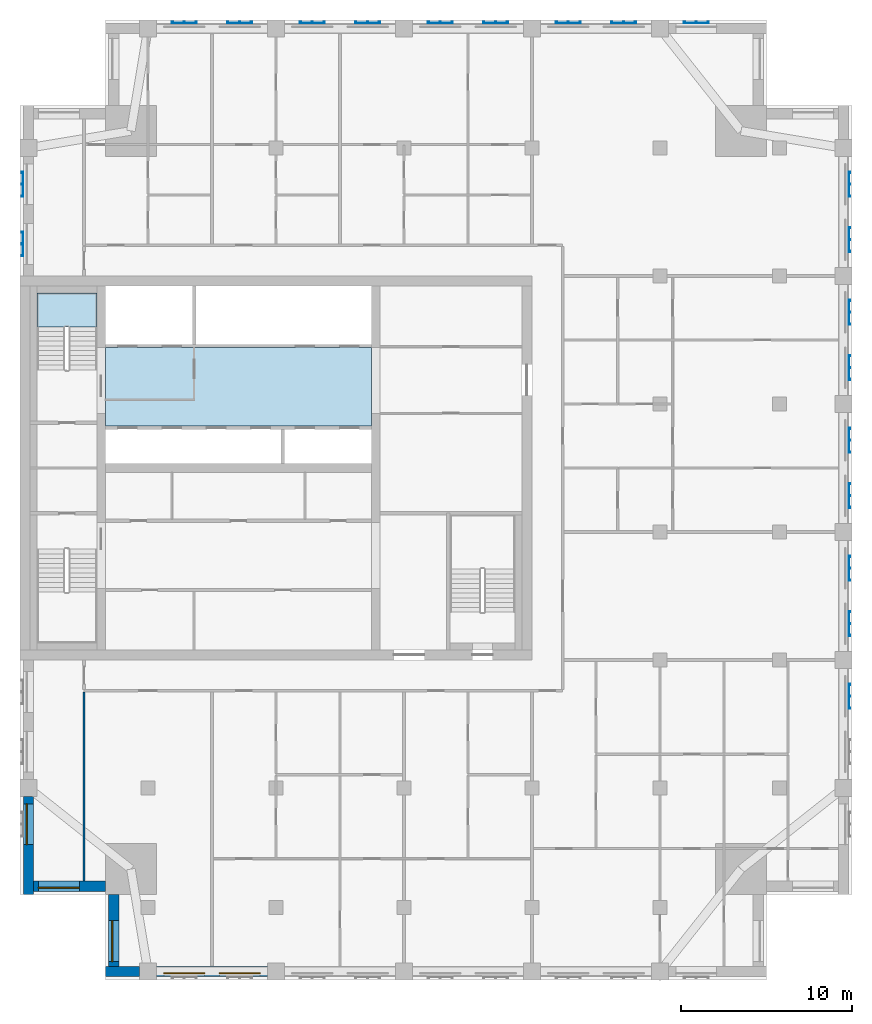
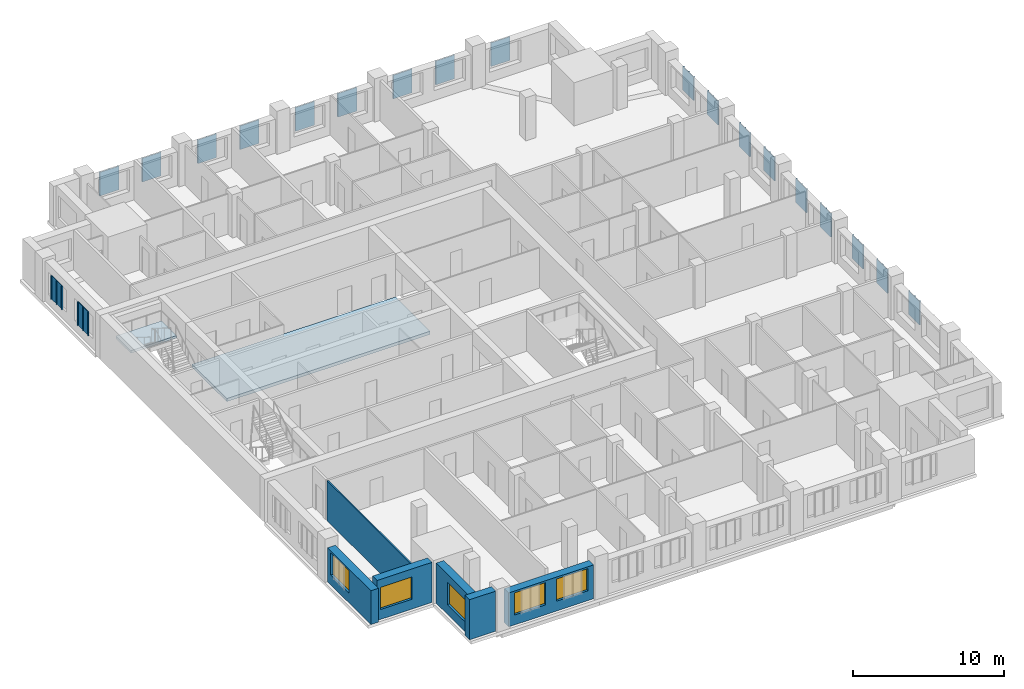
# One storey, part 2 of 11: 20 plates, 6 walls, 5 windows, 2 slabs, 5 openings, 1 element without a shape of its own.
"""IFC4 building model written with IfcOpenShell, lengths in metres."""

import ifcopenshell
import ifcopenshell.guid

model = None  # the IFC model being written
_history = None  # IfcOwnerHistory: only IFC2X3 demands one
_inside = {}  # id of a spatial element -> (the spatial element, [elements in it])
_under = {}  # id of a project, library or spatial element -> (it, [spatial elements below it])
_declared = {}  # id of a project -> (the project, [libraries it declares])
_typed = {}  # id of a type object -> (the type object, [elements of that type])
_made_of = {}  # id of a material, layer set ... -> (it, [elements and type objects made of it])


def new_model(schema):
    """Start an empty IFC model of exactly this schema.

    Asked for "IFC4X3", IfcOpenShell would pick the latest addendum, in which some entities
    have other attributes; the version numbers below select the first issue.
    IFC2X3 requires an IfcOwnerHistory on every rooted entity: one is made here for all.
    """
    global model, _history
    if schema == "IFC4X3":
        model = ifcopenshell.file(schema_version=(4, 3, 0, 0))
    else:
        model = ifcopenshell.file(schema=schema)
    _inside.clear()
    _under.clear()
    _declared.clear()
    _typed.clear()
    _made_of.clear()
    _history = None
    if model.schema == "IFC2X3":
        org = make("IfcOrganization", Name="unknown")
        user = make(
            "IfcPersonAndOrganization",
            ThePerson=make("IfcPerson", FamilyName="unknown"),
            TheOrganization=org,
        )
        app = make(
            "IfcApplication",
            ApplicationDeveloper=org,
            Version="unknown",
            ApplicationFullName="unknown",
            ApplicationIdentifier="unknown",
        )
        _history = make(
            "IfcOwnerHistory",
            OwningUser=user,
            OwningApplication=app,
            ChangeAction="ADDED",
            CreationDate=0,
        )
    return model


def make(cls, **values):
    """One entity of the class cls with the attributes given. An attribute that is None is left unset."""
    return model.create_entity(
        cls, **{name: value for name, value in values.items() if value is not None}
    )


def rooted(cls, **values):
    """An entity with a GlobalId (a new one), such as an element, a storey or a relation."""
    return make(cls, GlobalId=ifcopenshell.guid.new(), OwnerHistory=_history, **values)


def si_unit(unit_type, name, prefix=None):
    """IfcSIUnit, for example si_unit("LENGTHUNIT", "METRE", prefix="MILLI")."""
    return make("IfcSIUnit", UnitType=unit_type, Prefix=prefix, Name=name)


def assignment(units):
    """IfcUnitAssignment: the units of a project."""
    return None if units is None else make("IfcUnitAssignment", Units=units)


def point(xyz):
    """IfcCartesianPoint."""
    return None if xyz is None else make("IfcCartesianPoint", Coordinates=xyz)


def direction(xyz):
    """IfcDirection."""
    return None if xyz is None else make("IfcDirection", DirectionRatios=xyz)


def frame(location, z_axis=None, x_axis=None):
    """IfcAxis2Placement3D, a coordinate frame: its origin and axes. An axis left out is left unset."""
    return make(
        "IfcAxis2Placement3D",
        Location=point(location),
        Axis=direction(z_axis),
        RefDirection=direction(x_axis),
    )


def frame_2d(location, x_axis=None):
    """IfcAxis2Placement2D, a coordinate frame in the plane: its origin and x axis."""
    return make(
        "IfcAxis2Placement2D", Location=point(location), RefDirection=direction(x_axis)
    )


def origin():
    """The frame at (0, 0, 0) with its axes left unset."""
    return frame((0.0, 0.0, 0.0))


def place(relative_to, where):
    """IfcLocalPlacement: puts the frame where relative to a parent placement (None: the world)."""
    return make(
        "IfcLocalPlacement", PlacementRelTo=relative_to, RelativePlacement=where
    )


def context(
    kind, dimensions, precision=None, world=None, true_north=None, identifier=None
):
    """IfcGeometricRepresentationContext, for example the 3D "Model" context."""
    return make(
        "IfcGeometricRepresentationContext",
        ContextIdentifier=identifier,
        ContextType=kind,
        CoordinateSpaceDimension=dimensions,
        Precision=precision,
        WorldCoordinateSystem=world,
        TrueNorth=true_north,
    )


def subcontext(parent, identifier, kind, view, scale=None):
    """IfcGeometricRepresentationSubContext, for example "Body" below "Model"."""
    return make(
        "IfcGeometricRepresentationSubContext",
        ContextIdentifier=identifier,
        ContextType=kind,
        ParentContext=parent,
        TargetScale=scale,
        TargetView=view,
    )


def project(units=None, contexts=None):
    """IfcProject with its units and contexts."""
    return rooted(
        "IfcProject",
        Name="project",
        RepresentationContexts=contexts,
        UnitsInContext=assignment(units),
    )


def spatial(cls, under=None, at=None, **own):
    """A site, building, storey or space (cls), placed at a placement, below another one or the project."""
    s = rooted(cls, ObjectPlacement=at, **own)
    if under is not None:
        _under.setdefault(under.id(), (under, []))[1].append(s)
    return s


def polyline(points):
    """IfcPolyline through the points."""
    return make("IfcPolyline", Points=[point(p) for p in points])


def profile(cls, at=None, kind="AREA", **sizes):
    """A parametric profile (cls). Its sizes go by their IFC names, for example OverallWidth=200.0."""
    return make(cls, ProfileType=kind, Position=at, **sizes)


def rectangle(**sizes):
    """IfcRectangleProfileDef."""
    return profile("IfcRectangleProfileDef", **sizes)


def outline(outer, holes=None, kind="AREA"):
    """IfcArbitraryClosedProfileDef: a profile drawn as a closed curve; with holes, ...WithVoids."""
    if holes is None:
        return make("IfcArbitraryClosedProfileDef", ProfileType=kind, OuterCurve=outer)
    return make(
        "IfcArbitraryProfileDefWithVoids",
        ProfileType=kind,
        OuterCurve=outer,
        InnerCurves=holes,
    )


def extrude(swept, where, along, depth):
    """IfcExtrudedAreaSolid: the profile swept, set in the frame where, extruded along a direction by depth."""
    return make(
        "IfcExtrudedAreaSolid",
        SweptArea=swept,
        Position=where,
        ExtrudedDirection=direction(along),
        Depth=depth,
    )


def shape(context_of_items, identifier, shape_type, items):
    """IfcShapeRepresentation: the items that make up one representation, for example the "Body"."""
    return make(
        "IfcShapeRepresentation",
        ContextOfItems=context_of_items,
        RepresentationIdentifier=identifier,
        RepresentationType=shape_type,
        Items=items,
    )


def material(Name=None, Category=None):
    """IfcMaterial."""
    return make("IfcMaterial", Name=Name, Category=Category)


def layer(
    of_material, thickness, ventilated=None, Name=None, Category=None, Priority=None
):
    """IfcMaterialLayer: one layer of a wall or slab, of a material (None: an air gap)."""
    return make(
        "IfcMaterialLayer",
        Material=of_material,
        LayerThickness=thickness,
        IsVentilated=ventilated,
        Name=Name,
        Category=Category,
        Priority=Priority,
    )


def layer_set(layers, Name=None):
    """IfcMaterialLayerSet."""
    return make("IfcMaterialLayerSet", MaterialLayers=layers, LayerSetName=Name)


def made_of(thing, what):
    """Note that an element or type object is made of a material, layer set ...; save() writes the relation."""
    if what is not None:
        _made_of.setdefault(what.id(), (what, []))[1].append(thing)
    return thing


def type_object(cls, material=None, **own):
    """A type object (cls), such as IfcWallType, which elements share."""
    return made_of(rooted(cls, **own), material)


def element(
    cls,
    number,
    at=None,
    inside=None,
    cuts=None,
    type_object=None,
    material=None,
    context=None,
    identifier="Body",
    shape_type=None,
    held_by="IfcProductDefinitionShape",
    body=None,
    shapes=None,
    **own,
):
    """One element of the class cls, such as IfcWall. Its Tag is "e" and its number.

    at: its placement. inside: the storey or other place that contains it. cuts: it is an
    opening in that element (IfcRelVoidsElement). A single representation is given by context,
    identifier, shape_type and body (its items); several are given by shapes. held_by: the class
    of the entity that holds the representations. save() writes the other relations.
    """
    e = rooted(cls, Tag="e%d" % number, ObjectPlacement=at, **own)
    if body is not None:
        shapes = [shape(context, identifier, shape_type, body)]
    if shapes is not None:
        e.Representation = make(held_by, Representations=shapes)
    if inside is not None:
        _inside.setdefault(inside.id(), (inside, []))[1].append(e)
    if cuts is not None:
        rooted(
            "IfcRelVoidsElement", RelatingBuildingElement=cuts, RelatedOpeningElement=e
        )
    if type_object is not None:
        _typed.setdefault(type_object.id(), (type_object, []))[1].append(e)
    return made_of(e, material)


def fill(opening, filler):
    """IfcRelFillsElement: the door or window that sits in an opening."""
    return rooted(
        "IfcRelFillsElement",
        RelatingOpeningElement=opening,
        RelatedBuildingElement=filler,
    )


def aggregate(whole, parts):
    """IfcRelAggregates: a whole, such as a stair, and the parts it consists of."""
    return rooted("IfcRelAggregates", RelatingObject=whole, RelatedObjects=parts)


def save(model, path):
    """Write the relations noted so far, then the file.

    IfcRelAggregates (storeys below a building ...), IfcRelContainedInSpatialStructure (elements
    in a storey), IfcRelDefinesByType, IfcRelAssociatesMaterial and IfcRelDeclares: one each for
    every whole, place, type object, material and project.
    """
    for whole, parts in _under.values():
        aggregate(whole, parts)
    for where, things in _inside.values():
        rooted(
            "IfcRelContainedInSpatialStructure",
            RelatedElements=things,
            RelatingStructure=where,
        )
    for kind, things in _typed.values():
        rooted("IfcRelDefinesByType", RelatedObjects=things, RelatingType=kind)
    for what, things in _made_of.values():
        rooted("IfcRelAssociatesMaterial", RelatedObjects=things, RelatingMaterial=what)
    for by, libraries in _declared.values():
        rooted("IfcRelDeclares", RelatingContext=by, RelatedDefinitions=libraries)
    model.write(path)


model = new_model("IFC4")

# Units and contexts
model_context = context("Model", 3, precision=1e-05, world=origin(), true_north=direction((0.0, 1.0)))
body_context = subcontext(model_context, "Body", "Model", "MODEL_VIEW")
ifc_project = project(units=[si_unit("LENGTHUNIT", "METRE"), si_unit("AREAUNIT", "SQUARE_METRE"), si_unit("VOLUMEUNIT", "CUBIC_METRE"), si_unit("PLANEANGLEUNIT", "RADIAN"), si_unit("MASSUNIT", "GRAM", prefix="KILO")], contexts=[model_context])

# Site, building, storey
site_placement = place(None, origin())
site = spatial("IfcSite", under=ifc_project, at=site_placement, CompositionType="ELEMENT")
building_placement = place(site_placement, origin())
building = spatial("IfcBuilding", under=site, at=building_placement, Name="Tamorin Gate", CompositionType="ELEMENT")
storey_placement = place(building_placement, frame((0.0, 0.0, 233.699951171875)))
storey = spatial("IfcBuildingStorey", under=building, at=storey_placement, Name="L58", CompositionType="ELEMENT", Elevation=233.699951171875)

# Slab
ifc_material_1 = material(Name="Concrete C40/50", Category="concrete")
ifc_layer_1 = layer(ifc_material_1, 0.25)
ifc_layer_set_1 = layer_set([ifc_layer_1], Name="Core floor slab 250 C40/50")
slab_type_1 = type_object("IfcSlabType", Name="Core floor slab 250 C40/50", PredefinedType="FLOOR", material=ifc_layer_set_1)
slab_1_placement = place(storey_placement, frame((0.0, 0.0, -0.25)))
element("IfcSlab", 1, at=slab_1_placement, inside=storey, type_object=slab_type_1, Name="Core floor L58", PredefinedType="FLOOR", context=body_context, shape_type="SweptSolid", body=[
    extrude(outline(polyline([(50.60009765625, 73.699951171875), (35.0, 73.699951171875), (35.0, 78.300048828125), (50.60009765625, 78.300048828125), (50.60009765625, 73.699951171875)])), origin(), (0.0, 0.0, 1.0), 0.25),
])

# Stair, slab
stair_type = type_object("IfcStairType", Name="Exit stair", PredefinedType="HALF_TURN_STAIR", material=ifc_material_1)
stair_placement = place(storey_placement, origin())
stair = element("IfcStair", 2, at=stair_placement, inside=storey, type_object=stair_type, Name="L58 stair ST2", PredefinedType="HALF_TURN_STAIR")
ifc_layer_2 = layer(ifc_material_1, 0.199951171875)
ifc_layer_set_2 = layer_set([ifc_layer_2], Name="Exit stair landing 200")
slab_type_2 = type_object("IfcSlabType", Name="Exit stair landing 200", PredefinedType="LANDING", material=ifc_layer_set_2)
slab_2_placement = place(storey_placement, frame((0.0, 0.0, 1.550048828125)))
slab_2 = element("IfcSlab", 3, at=slab_2_placement, type_object=slab_type_2, Name="ST2 landing 1", PredefinedType="LANDING", context=body_context, shape_type="SweptSolid", body=[
    extrude(outline(polyline([(34.5, 79.52001953125), (34.5, 81.5), (31.0, 81.5), (31.0, 79.52001953125), (34.5, 79.52001953125)])), origin(), (0.0, 0.0, 1.0), 0.199951171875),
])
aggregate(stair, [slab_2])

# Plates
ifc_material_2 = material(Name="Perforated pale aluminium sheet", Category="aluminium")
ifc_layer_3 = layer(ifc_material_2, 0.0400390625)
ifc_layer_set_3 = layer_set([ifc_layer_3], Name="Pale metal solar screen 1440")
plate_type = type_object("IfcPlateType", Name="Pale metal solar screen 1440", PredefinedType="SHEET", material=ifc_layer_set_3)
plate_1_placement = place(storey_placement, frame((0.0, 0.0, 0.737548828125)))
element("IfcPlate", 4, at=plate_1_placement, inside=storey, type_object=plate_type, Name="Perforated solar screen", PredefinedType="SHEET", context=body_context, shape_type="SweptSolid", body=[
    extrude(outline(polyline([(78.590087890625, 57.155029296875), (78.550048828125, 57.155029296875), (78.550048828125, 57.215087890625), (78.550048828125, 57.844970703125), (78.550048828125, 57.905029296875), (78.550048828125, 58.534912109375), (78.550048828125, 58.594970703125), (78.590087890625, 58.594970703125), (78.64990234375, 58.594970703125), (78.64990234375, 58.534912109375), (78.590087890625, 58.534912109375), (78.590087890625, 57.905029296875), (78.64990234375, 57.905029296875), (78.64990234375, 57.844970703125), (78.590087890625, 57.844970703125), (78.590087890625, 57.215087890625), (78.64990234375, 57.215087890625), (78.64990234375, 57.155029296875), (78.590087890625, 57.155029296875)])), origin(), (0.0, 0.0, 1.0), 1.925048828125),
])
plate_2_placement = place(storey_placement, frame((0.0, 0.0, 0.737548828125)))
element("IfcPlate", 5, at=plate_2_placement, inside=storey, type_object=plate_type, Name="Perforated solar screen", PredefinedType="SHEET", context=body_context, shape_type="SweptSolid", body=[
    extrude(outline(polyline([(78.590087890625, 61.405029296875), (78.550048828125, 61.405029296875), (78.550048828125, 61.465087890625), (78.550048828125, 62.094970703125), (78.550048828125, 62.155029296875), (78.550048828125, 62.784912109375), (78.550048828125, 62.844970703125), (78.590087890625, 62.844970703125), (78.64990234375, 62.844970703125), (78.64990234375, 62.784912109375), (78.590087890625, 62.784912109375), (78.590087890625, 62.155029296875), (78.64990234375, 62.155029296875), (78.64990234375, 62.094970703125), (78.590087890625, 62.094970703125), (78.590087890625, 61.465087890625), (78.64990234375, 61.465087890625), (78.64990234375, 61.405029296875), (78.590087890625, 61.405029296875)])), origin(), (0.0, 0.0, 1.0), 1.925048828125),
])
plate_3_placement = place(storey_placement, frame((0.0, 0.0, 0.737548828125)))
element("IfcPlate", 6, at=plate_3_placement, inside=storey, type_object=plate_type, Name="Perforated solar screen", PredefinedType="SHEET", context=body_context, shape_type="SweptSolid", body=[
    extrude(outline(polyline([(78.590087890625, 64.655029296875), (78.550048828125, 64.655029296875), (78.550048828125, 64.715087890625), (78.550048828125, 65.344970703125), (78.550048828125, 65.405029296875), (78.550048828125, 66.034912109375), (78.550048828125, 66.094970703125), (78.590087890625, 66.094970703125), (78.64990234375, 66.094970703125), (78.64990234375, 66.034912109375), (78.590087890625, 66.034912109375), (78.590087890625, 65.405029296875), (78.64990234375, 65.405029296875), (78.64990234375, 65.344970703125), (78.590087890625, 65.344970703125), (78.590087890625, 64.715087890625), (78.64990234375, 64.715087890625), (78.64990234375, 64.655029296875), (78.590087890625, 64.655029296875)])), origin(), (0.0, 0.0, 1.0), 1.925048828125),
])
plate_4_placement = place(storey_placement, frame((0.0, 0.0, 0.737548828125)))
element("IfcPlate", 7, at=plate_4_placement, inside=storey, type_object=plate_type, Name="Perforated solar screen", PredefinedType="SHEET", context=body_context, shape_type="SweptSolid", body=[
    extrude(outline(polyline([(78.590087890625, 68.905029296875), (78.550048828125, 68.905029296875), (78.550048828125, 68.965087890625), (78.550048828125, 69.594970703125), (78.550048828125, 69.655029296875), (78.550048828125, 70.284912109375), (78.550048828125, 70.344970703125), (78.590087890625, 70.344970703125), (78.64990234375, 70.344970703125), (78.64990234375, 70.284912109375), (78.590087890625, 70.284912109375), (78.590087890625, 69.655029296875), (78.64990234375, 69.655029296875), (78.64990234375, 69.594970703125), (78.590087890625, 69.594970703125), (78.590087890625, 68.965087890625), (78.64990234375, 68.965087890625), (78.64990234375, 68.905029296875), (78.590087890625, 68.905029296875)])), origin(), (0.0, 0.0, 1.0), 1.925048828125),
])
plate_5_placement = place(storey_placement, frame((0.0, 0.0, 0.737548828125)))
element("IfcPlate", 8, at=plate_5_placement, inside=storey, type_object=plate_type, Name="Perforated solar screen", PredefinedType="SHEET", context=body_context, shape_type="SweptSolid", body=[
    extrude(outline(polyline([(78.590087890625, 72.155029296875), (78.550048828125, 72.155029296875), (78.550048828125, 72.215087890625), (78.550048828125, 72.844970703125), (78.550048828125, 72.905029296875), (78.550048828125, 73.534912109375), (78.550048828125, 73.594970703125), (78.590087890625, 73.594970703125), (78.64990234375, 73.594970703125), (78.64990234375, 73.534912109375), (78.590087890625, 73.534912109375), (78.590087890625, 72.905029296875), (78.64990234375, 72.905029296875), (78.64990234375, 72.844970703125), (78.590087890625, 72.844970703125), (78.590087890625, 72.215087890625), (78.64990234375, 72.215087890625), (78.64990234375, 72.155029296875), (78.590087890625, 72.155029296875)])), origin(), (0.0, 0.0, 1.0), 1.925048828125),
])
plate_6_placement = place(storey_placement, frame((0.0, 0.0, 0.737548828125)))
element("IfcPlate", 9, at=plate_6_placement, inside=storey, type_object=plate_type, Name="Perforated solar screen", PredefinedType="SHEET", context=body_context, shape_type="SweptSolid", body=[
    extrude(outline(polyline([(78.590087890625, 76.405029296875), (78.550048828125, 76.405029296875), (78.550048828125, 76.465087890625), (78.550048828125, 77.094970703125), (78.550048828125, 77.155029296875), (78.550048828125, 77.784912109375), (78.550048828125, 77.844970703125), (78.590087890625, 77.844970703125), (78.64990234375, 77.844970703125), (78.64990234375, 77.784912109375), (78.590087890625, 77.784912109375), (78.590087890625, 77.155029296875), (78.64990234375, 77.155029296875), (78.64990234375, 77.094970703125), (78.590087890625, 77.094970703125), (78.590087890625, 76.465087890625), (78.64990234375, 76.465087890625), (78.64990234375, 76.405029296875), (78.590087890625, 76.405029296875)])), origin(), (0.0, 0.0, 1.0), 1.925048828125),
])
plate_7_placement = place(storey_placement, frame((0.0, 0.0, 0.737548828125)))
element("IfcPlate", 10, at=plate_7_placement, inside=storey, type_object=plate_type, Name="Perforated solar screen", PredefinedType="SHEET", context=body_context, shape_type="SweptSolid", body=[
    extrude(outline(polyline([(78.590087890625, 79.655029296875), (78.550048828125, 79.655029296875), (78.550048828125, 79.715087890625), (78.550048828125, 80.344970703125), (78.550048828125, 80.405029296875), (78.550048828125, 81.034912109375), (78.550048828125, 81.094970703125), (78.590087890625, 81.094970703125), (78.64990234375, 81.094970703125), (78.64990234375, 81.034912109375), (78.590087890625, 81.034912109375), (78.590087890625, 80.405029296875), (78.64990234375, 80.405029296875), (78.64990234375, 80.344970703125), (78.590087890625, 80.344970703125), (78.590087890625, 79.715087890625), (78.64990234375, 79.715087890625), (78.64990234375, 79.655029296875), (78.590087890625, 79.655029296875)])), origin(), (0.0, 0.0, 1.0), 1.925048828125),
])
plate_8_placement = place(storey_placement, frame((0.0, 0.0, 0.737548828125)))
element("IfcPlate", 11, at=plate_8_placement, inside=storey, type_object=plate_type, Name="Perforated solar screen", PredefinedType="SHEET", context=body_context, shape_type="SweptSolid", body=[
    extrude(outline(polyline([(78.590087890625, 83.905029296875), (78.550048828125, 83.905029296875), (78.550048828125, 83.965087890625), (78.550048828125, 84.594970703125), (78.550048828125, 84.655029296875), (78.550048828125, 85.284912109375), (78.550048828125, 85.344970703125), (78.590087890625, 85.344970703125), (78.64990234375, 85.344970703125), (78.64990234375, 85.284912109375), (78.590087890625, 85.284912109375), (78.590087890625, 84.655029296875), (78.64990234375, 84.655029296875), (78.64990234375, 84.594970703125), (78.590087890625, 84.594970703125), (78.590087890625, 83.965087890625), (78.64990234375, 83.965087890625), (78.64990234375, 83.905029296875), (78.590087890625, 83.905029296875)])), origin(), (0.0, 0.0, 1.0), 1.925048828125),
])
plate_9_placement = place(storey_placement, frame((0.0, 0.0, 0.737548828125)))
element("IfcPlate", 12, at=plate_9_placement, inside=storey, type_object=plate_type, Name="Perforated solar screen", PredefinedType="SHEET", context=body_context, shape_type="SweptSolid", body=[
    extrude(outline(polyline([(78.590087890625, 87.155029296875), (78.550048828125, 87.155029296875), (78.550048828125, 87.215087890625), (78.550048828125, 87.844970703125), (78.550048828125, 87.905029296875), (78.550048828125, 88.534912109375), (78.550048828125, 88.594970703125), (78.590087890625, 88.594970703125), (78.64990234375, 88.594970703125), (78.64990234375, 88.534912109375), (78.590087890625, 88.534912109375), (78.590087890625, 87.905029296875), (78.64990234375, 87.905029296875), (78.64990234375, 87.844970703125), (78.590087890625, 87.844970703125), (78.590087890625, 87.215087890625), (78.64990234375, 87.215087890625), (78.64990234375, 87.155029296875), (78.590087890625, 87.155029296875)])), origin(), (0.0, 0.0, 1.0), 1.925048828125),
])
plate_10_placement = place(storey_placement, frame((0.0, 0.0, 0.737548828125)))
element("IfcPlate", 13, at=plate_10_placement, inside=storey, type_object=plate_type, Name="Perforated solar screen", PredefinedType="SHEET", context=body_context, shape_type="SweptSolid", body=[
    extrude(outline(polyline([(70.344970703125, 97.340087890625), (70.344970703125, 97.300048828125), (70.284912109375, 97.300048828125), (69.655029296875, 97.300048828125), (69.594970703125, 97.300048828125), (68.965087890625, 97.300048828125), (68.905029296875, 97.300048828125), (68.905029296875, 97.300048828125), (68.905029296875, 97.340087890625), (68.905029296875, 97.340087890625), (68.905029296875, 97.39990234375), (68.965087890625, 97.39990234375), (68.965087890625, 97.340087890625), (69.594970703125, 97.340087890625), (69.594970703125, 97.39990234375), (69.655029296875, 97.39990234375), (69.655029296875, 97.340087890625), (70.284912109375, 97.340087890625), (70.284912109375, 97.39990234375), (70.344970703125, 97.39990234375), (70.344970703125, 97.340087890625)])), origin(), (0.0, 0.0, 1.0), 1.925048828125),
])
plate_11_placement = place(storey_placement, frame((0.0, 0.0, 0.737548828125)))
element("IfcPlate", 14, at=plate_11_placement, inside=storey, type_object=plate_type, Name="Perforated solar screen", PredefinedType="SHEET", context=body_context, shape_type="SweptSolid", body=[
    extrude(outline(polyline([(62.844970703125, 97.340087890625), (62.844970703125, 97.300048828125), (62.784912109375, 97.300048828125), (62.155029296875, 97.300048828125), (62.094970703125, 97.300048828125), (61.465087890625, 97.300048828125), (61.405029296875, 97.300048828125), (61.405029296875, 97.340087890625), (61.405029296875, 97.39990234375), (61.465087890625, 97.39990234375), (61.465087890625, 97.340087890625), (62.094970703125, 97.340087890625), (62.094970703125, 97.39990234375), (62.155029296875, 97.39990234375), (62.155029296875, 97.340087890625), (62.784912109375, 97.340087890625), (62.784912109375, 97.39990234375), (62.844970703125, 97.39990234375), (62.844970703125, 97.340087890625)])), origin(), (0.0, 0.0, 1.0), 1.925048828125),
])
plate_12_placement = place(storey_placement, frame((0.0, 0.0, 0.737548828125)))
element("IfcPlate", 15, at=plate_12_placement, inside=storey, type_object=plate_type, Name="Perforated solar screen", PredefinedType="SHEET", context=body_context, shape_type="SweptSolid", body=[
    extrude(outline(polyline([(66.094970703125, 97.340087890625), (66.094970703125, 97.300048828125), (66.034912109375, 97.300048828125), (65.405029296875, 97.300048828125), (65.344970703125, 97.300048828125), (64.715087890625, 97.300048828125), (64.655029296875, 97.300048828125), (64.655029296875, 97.340087890625), (64.655029296875, 97.39990234375), (64.715087890625, 97.39990234375), (64.715087890625, 97.340087890625), (65.344970703125, 97.340087890625), (65.344970703125, 97.39990234375), (65.405029296875, 97.39990234375), (65.405029296875, 97.340087890625), (66.034912109375, 97.340087890625), (66.034912109375, 97.39990234375), (66.094970703125, 97.39990234375), (66.094970703125, 97.340087890625)])), origin(), (0.0, 0.0, 1.0), 1.925048828125),
])
plate_13_placement = place(storey_placement, frame((0.0, 0.0, 0.737548828125)))
element("IfcPlate", 16, at=plate_13_placement, inside=storey, type_object=plate_type, Name="Perforated solar screen", PredefinedType="SHEET", context=body_context, shape_type="SweptSolid", body=[
    extrude(outline(polyline([(55.344970703125, 97.340087890625), (55.344970703125, 97.300048828125), (55.284912109375, 97.300048828125), (54.655029296875, 97.300048828125), (54.594970703125, 97.300048828125), (53.965087890625, 97.300048828125), (53.905029296875, 97.300048828125), (53.905029296875, 97.340087890625), (53.905029296875, 97.39990234375), (53.965087890625, 97.39990234375), (53.965087890625, 97.340087890625), (54.594970703125, 97.340087890625), (54.594970703125, 97.39990234375), (54.655029296875, 97.39990234375), (54.655029296875, 97.340087890625), (55.284912109375, 97.340087890625), (55.284912109375, 97.39990234375), (55.344970703125, 97.39990234375), (55.344970703125, 97.340087890625)])), origin(), (0.0, 0.0, 1.0), 1.925048828125),
])
plate_14_placement = place(storey_placement, frame((0.0, 0.0, 0.737548828125)))
element("IfcPlate", 17, at=plate_14_placement, inside=storey, type_object=plate_type, Name="Perforated solar screen", PredefinedType="SHEET", context=body_context, shape_type="SweptSolid", body=[
    extrude(outline(polyline([(58.594970703125, 97.340087890625), (58.594970703125, 97.300048828125), (58.534912109375, 97.300048828125), (57.905029296875, 97.300048828125), (57.844970703125, 97.300048828125), (57.215087890625, 97.300048828125), (57.155029296875, 97.300048828125), (57.155029296875, 97.340087890625), (57.155029296875, 97.39990234375), (57.215087890625, 97.39990234375), (57.215087890625, 97.340087890625), (57.844970703125, 97.340087890625), (57.844970703125, 97.39990234375), (57.905029296875, 97.39990234375), (57.905029296875, 97.340087890625), (58.534912109375, 97.340087890625), (58.534912109375, 97.39990234375), (58.594970703125, 97.39990234375), (58.594970703125, 97.340087890625)])), origin(), (0.0, 0.0, 1.0), 1.925048828125),
])
plate_15_placement = place(storey_placement, frame((0.0, 0.0, 0.737548828125)))
element("IfcPlate", 18, at=plate_15_placement, inside=storey, type_object=plate_type, Name="Perforated solar screen", PredefinedType="SHEET", context=body_context, shape_type="SweptSolid", body=[
    extrude(outline(polyline([(47.844970703125, 97.340087890625), (47.844970703125, 97.300048828125), (47.784912109375, 97.300048828125), (47.155029296875, 97.300048828125), (47.094970703125, 97.300048828125), (46.465087890625, 97.300048828125), (46.405029296875, 97.300048828125), (46.405029296875, 97.340087890625), (46.405029296875, 97.39990234375), (46.465087890625, 97.39990234375), (46.465087890625, 97.340087890625), (47.094970703125, 97.340087890625), (47.094970703125, 97.39990234375), (47.155029296875, 97.39990234375), (47.155029296875, 97.340087890625), (47.784912109375, 97.340087890625), (47.784912109375, 97.39990234375), (47.844970703125, 97.39990234375), (47.844970703125, 97.340087890625)])), origin(), (0.0, 0.0, 1.0), 1.925048828125),
])
plate_16_placement = place(storey_placement, frame((0.0, 0.0, 0.737548828125)))
element("IfcPlate", 19, at=plate_16_placement, inside=storey, type_object=plate_type, Name="Perforated solar screen", PredefinedType="SHEET", context=body_context, shape_type="SweptSolid", body=[
    extrude(outline(polyline([(51.094970703125, 97.340087890625), (51.094970703125, 97.300048828125), (51.034912109375, 97.300048828125), (50.405029296875, 97.300048828125), (50.344970703125, 97.300048828125), (49.715087890625, 97.300048828125), (49.655029296875, 97.300048828125), (49.655029296875, 97.340087890625), (49.655029296875, 97.39990234375), (49.715087890625, 97.39990234375), (49.715087890625, 97.340087890625), (50.344970703125, 97.340087890625), (50.344970703125, 97.39990234375), (50.405029296875, 97.39990234375), (50.405029296875, 97.340087890625), (51.034912109375, 97.340087890625), (51.034912109375, 97.39990234375), (51.094970703125, 97.39990234375), (51.094970703125, 97.340087890625)])), origin(), (0.0, 0.0, 1.0), 1.925048828125),
])
plate_17_placement = place(storey_placement, frame((0.0, 0.0, 0.737548828125)))
element("IfcPlate", 20, at=plate_17_placement, inside=storey, type_object=plate_type, Name="Perforated solar screen", PredefinedType="SHEET", context=body_context, shape_type="SweptSolid", body=[
    extrude(outline(polyline([(40.344970703125, 97.340087890625), (40.344970703125, 97.300048828125), (40.284912109375, 97.300048828125), (39.655029296875, 97.300048828125), (39.594970703125, 97.300048828125), (38.965087890625, 97.300048828125), (38.905029296875, 97.300048828125), (38.905029296875, 97.340087890625), (38.905029296875, 97.39990234375), (38.965087890625, 97.39990234375), (38.965087890625, 97.340087890625), (39.594970703125, 97.340087890625), (39.594970703125, 97.39990234375), (39.655029296875, 97.39990234375), (39.655029296875, 97.340087890625), (40.284912109375, 97.340087890625), (40.284912109375, 97.39990234375), (40.344970703125, 97.39990234375), (40.344970703125, 97.340087890625)])), origin(), (0.0, 0.0, 1.0), 1.925048828125),
])
plate_18_placement = place(storey_placement, frame((0.0, 0.0, 0.737548828125)))
element("IfcPlate", 21, at=plate_18_placement, inside=storey, type_object=plate_type, Name="Perforated solar screen", PredefinedType="SHEET", context=body_context, shape_type="SweptSolid", body=[
    extrude(outline(polyline([(43.594970703125, 97.340087890625), (43.594970703125, 97.300048828125), (43.534912109375, 97.300048828125), (42.905029296875, 97.300048828125), (42.844970703125, 97.300048828125), (42.215087890625, 97.300048828125), (42.155029296875, 97.300048828125), (42.155029296875, 97.340087890625), (42.155029296875, 97.39990234375), (42.215087890625, 97.39990234375), (42.215087890625, 97.340087890625), (42.844970703125, 97.340087890625), (42.844970703125, 97.39990234375), (42.905029296875, 97.39990234375), (42.905029296875, 97.340087890625), (43.534912109375, 97.340087890625), (43.534912109375, 97.39990234375), (43.594970703125, 97.39990234375), (43.594970703125, 97.340087890625)])), origin(), (0.0, 0.0, 1.0), 1.925048828125),
])
plate_19_placement = place(storey_placement, frame((0.0, 0.0, 0.737548828125)))
element("IfcPlate", 22, at=plate_19_placement, inside=storey, type_object=plate_type, Name="Perforated solar screen", PredefinedType="SHEET", context=body_context, shape_type="SweptSolid", body=[
    extrude(outline(polyline([(30.159912109375, 85.094970703125), (30.199951171875, 85.094970703125), (30.199951171875, 85.034912109375), (30.199951171875, 84.405029296875), (30.199951171875, 84.344970703125), (30.199951171875, 83.715087890625), (30.199951171875, 83.655029296875), (30.159912109375, 83.655029296875), (30.10009765625, 83.655029296875), (30.10009765625, 83.715087890625), (30.159912109375, 83.715087890625), (30.159912109375, 84.344970703125), (30.10009765625, 84.344970703125), (30.10009765625, 84.405029296875), (30.159912109375, 84.405029296875), (30.159912109375, 85.034912109375), (30.10009765625, 85.034912109375), (30.10009765625, 85.094970703125), (30.159912109375, 85.094970703125)])), origin(), (0.0, 0.0, 1.0), 1.925048828125),
])
plate_20_placement = place(storey_placement, frame((0.0, 0.0, 0.737548828125)))
element("IfcPlate", 23, at=plate_20_placement, inside=storey, type_object=plate_type, Name="Perforated solar screen", PredefinedType="SHEET", context=body_context, shape_type="SweptSolid", body=[
    extrude(outline(polyline([(30.159912109375, 88.594970703125), (30.199951171875, 88.594970703125), (30.199951171875, 88.534912109375), (30.199951171875, 87.905029296875), (30.199951171875, 87.844970703125), (30.199951171875, 87.215087890625), (30.199951171875, 87.155029296875), (30.199951171875, 87.155029296875), (30.159912109375, 87.155029296875), (30.159912109375, 87.155029296875), (30.10009765625, 87.155029296875), (30.10009765625, 87.215087890625), (30.159912109375, 87.215087890625), (30.159912109375, 87.844970703125), (30.10009765625, 87.844970703125), (30.10009765625, 87.905029296875), (30.159912109375, 87.905029296875), (30.159912109375, 88.534912109375), (30.10009765625, 88.534912109375), (30.10009765625, 88.594970703125), (30.159912109375, 88.594970703125)])), origin(), (0.0, 0.0, 1.0), 1.925048828125),
])

# Wall
ifc_material_3 = material(Name="Precast concrete C40/50", Category="concrete")
ifc_layer_4 = layer(ifc_material_3, 0.60009765625)
ifc_layer_set_4 = layer_set([ifc_layer_4], Name="Precast concrete C40/50")
wall_type_1 = type_object("IfcWallType", Name="Board-marked concrete facade panel 600", PredefinedType="SOLIDWALL", material=ifc_layer_set_4)
wall_1_placement = place(storey_placement, frame((35.0, 41.75, 0.0), z_axis=(0.0, 0.0, 1.0), x_axis=(1.0, 0.0, 0.0)))
element("IfcWall", 24, at=wall_1_placement, inside=storey, type_object=wall_type_1, Name="Facade panel", PredefinedType="SOLIDWALL", context=body_context, shape_type="SweptSolid", body=[
    extrude(rectangle(XDim=2.0, YDim=0.60009765625, at=frame_2d((1.0, 0.0))), origin(), (0.0, 0.0, 1.0), 3.25),
])

# Wall, openings, windows
wall_2_placement = place(storey_placement, frame((38.0, 41.75, 0.0), z_axis=(0.0, 0.0, 1.0), x_axis=(1.0, 0.0, 0.0)))
wall_2 = element("IfcWall", 25, at=wall_2_placement, inside=storey, type_object=wall_type_1, Name="Facade panel", PredefinedType="SOLIDWALL", context=body_context, shape_type="SweptSolid", body=[
    extrude(rectangle(XDim=6.5, YDim=0.60009765625, at=frame_2d((3.25, 0.0))), origin(), (0.0, 0.0, 1.0), 2.75),
])
opening_1_placement = place(wall_2_placement, frame((0.425048828125, 0.0, 0.800048828125)))
opening_1 = element("IfcOpeningElement", 26, at=opening_1_placement, cuts=wall_2, Name="Opening WN1", PredefinedType="OPENING", context=body_context, shape_type="SweptSolid", body=[
    extrude(rectangle(XDim=2.39990234375, YDim=1.800048828125, at=frame_2d((1.199951171875, 0.89990234375))), frame((0.0, 0.31005859375, 0.0), z_axis=(0.0, -1.0, 0.0), x_axis=(1.0, 0.0, 0.0)), (0.0, 0.0, 1.0), 0.6201171875),
])
opening_2_placement = place(wall_2_placement, frame((3.675048828125, 0.0, 0.800048828125)))
opening_2 = element("IfcOpeningElement", 27, at=opening_2_placement, cuts=wall_2, Name="Opening WN1", PredefinedType="OPENING", context=body_context, shape_type="SweptSolid", body=[
    extrude(rectangle(XDim=2.39990234375, YDim=1.800048828125, at=frame_2d((1.199951171875, 0.89990234375))), frame((0.0, 0.31005859375, 0.0), z_axis=(0.0, -1.0, 0.0), x_axis=(1.0, 0.0, 0.0)), (0.0, 0.0, 1.0), 0.6201171875),
])
ifc_material_4 = material(Name="Clear glass in aluminium frame", Category="aluminium")
window_type = type_object("IfcWindowType", Name="Deep-set window 2400x1800", PartitioningType="SINGLE_PANEL", PredefinedType="WINDOW", material=ifc_material_4)
window_1_placement = place(opening_1_placement, origin())
window_1 = element("IfcWindow", 28, at=window_1_placement, inside=storey, type_object=window_type, Name="Deep-set window", OverallHeight=1.800048828125, OverallWidth=2.39990234375, PartitioningType="SINGLE_PANEL", PredefinedType="WINDOW", context=body_context, shape_type="SweptSolid", body=[
    extrude(rectangle(XDim=2.39990234375, YDim=1.800048828125, at=frame_2d((1.199951171875, 0.89990234375))), frame((0.0, -0.070068359375, 0.0), z_axis=(0.0, -1.0, 0.0), x_axis=(1.0, 0.0, 0.0)), (0.0, 0.0, 1.0), 0.06005859375),
])
fill(opening_1, window_1)
window_2_placement = place(opening_2_placement, origin())
window_2 = element("IfcWindow", 29, at=window_2_placement, inside=storey, type_object=window_type, Name="Deep-set window", OverallHeight=1.800048828125, OverallWidth=2.39990234375, PartitioningType="SINGLE_PANEL", PredefinedType="WINDOW", context=body_context, shape_type="SweptSolid", body=[
    extrude(rectangle(XDim=2.39990234375, YDim=1.800048828125, at=frame_2d((1.199951171875, 0.89990234375))), frame((0.0, -0.070068359375, 0.0), z_axis=(0.0, -1.0, 0.0), x_axis=(1.0, 0.0, 0.0)), (0.0, 0.0, 1.0), 0.06005859375),
])
fill(opening_2, window_2)

# Wall, opening, window
wall_3_placement = place(storey_placement, frame((30.5, 52.0, 0.0), z_axis=(0.0, 0.0, 1.0), x_axis=(0.0, -1.0, 0.0)))
wall_3 = element("IfcWall", 30, at=wall_3_placement, inside=storey, type_object=wall_type_1, Name="Facade panel", PredefinedType="SOLIDWALL", context=body_context, shape_type="SweptSolid", body=[
    extrude(rectangle(XDim=5.75, YDim=0.60009765625, at=frame_2d((2.875, 0.0))), origin(), (0.0, 0.0, 1.0), 2.75),
])
opening_3_placement = place(wall_3_placement, frame((0.425048828125, 0.0, 0.800048828125)))
opening_3 = element("IfcOpeningElement", 31, at=opening_3_placement, cuts=wall_3, Name="Opening WN1", PredefinedType="OPENING", context=body_context, shape_type="SweptSolid", body=[
    extrude(rectangle(XDim=2.39990234375, YDim=1.800048828125, at=frame_2d((1.199951171875, 0.89990234375))), frame((0.0, 0.31005859375, 0.0), z_axis=(0.0, -1.0, 0.0), x_axis=(1.0, 0.0, 0.0)), (0.0, 0.0, 1.0), 0.6201171875),
])
window_3_placement = place(opening_3_placement, origin())
window_3 = element("IfcWindow", 32, at=window_3_placement, inside=storey, type_object=window_type, Name="Deep-set window", OverallHeight=1.800048828125, OverallWidth=2.39990234375, PartitioningType="SINGLE_PANEL", PredefinedType="WINDOW", context=body_context, shape_type="SweptSolid", body=[
    extrude(rectangle(XDim=2.39990234375, YDim=1.800048828125, at=frame_2d((1.199951171875, 0.89990234375))), frame((0.0, -0.070068359375, 0.0), z_axis=(0.0, -1.0, 0.0), x_axis=(1.0, 0.0, 0.0)), (0.0, 0.0, 1.0), 0.06005859375),
])
fill(opening_3, window_3)

wall_4_placement = place(storey_placement, frame((30.800048828125, 46.75, 0.0), z_axis=(0.0, 0.0, 1.0), x_axis=(1.0, 0.0, 0.0)))
wall_4 = element("IfcWall", 33, at=wall_4_placement, inside=storey, type_object=wall_type_1, Name="Facade panel", PredefinedType="SOLIDWALL", context=body_context, shape_type="SweptSolid", body=[
    extrude(rectangle(XDim=4.199951171875, YDim=0.60009765625, at=frame_2d((2.10009765625, 0.0))), origin(), (0.0, 0.0, 1.0), 3.25),
])
opening_4_placement = place(wall_4_placement, frame((0.27490234375, 0.0, 0.800048828125)))
opening_4 = element("IfcOpeningElement", 34, at=opening_4_placement, cuts=wall_4, Name="Opening WN1", PredefinedType="OPENING", context=body_context, shape_type="SweptSolid", body=[
    extrude(rectangle(XDim=2.39990234375, YDim=1.800048828125, at=frame_2d((1.199951171875, 0.89990234375))), frame((0.0, 0.31005859375, 0.0), z_axis=(0.0, -1.0, 0.0), x_axis=(1.0, 0.0, 0.0)), (0.0, 0.0, 1.0), 0.6201171875),
])
window_4_placement = place(opening_4_placement, origin())
window_4 = element("IfcWindow", 35, at=window_4_placement, inside=storey, type_object=window_type, Name="Deep-set window", OverallHeight=1.800048828125, OverallWidth=2.39990234375, PartitioningType="SINGLE_PANEL", PredefinedType="WINDOW", context=body_context, shape_type="SweptSolid", body=[
    extrude(rectangle(XDim=2.39990234375, YDim=1.800048828125, at=frame_2d((1.199951171875, 0.89990234375))), frame((0.0, -0.070068359375, 0.0), z_axis=(0.0, -1.0, 0.0), x_axis=(1.0, 0.0, 0.0)), (0.0, 0.0, 1.0), 0.06005859375),
])
fill(opening_4, window_4)

wall_5_placement = place(storey_placement, frame((35.5, 46.25, 0.0), z_axis=(0.0, 0.0, 1.0), x_axis=(0.0, -1.0, 0.0)))
wall_5 = element("IfcWall", 36, at=wall_5_placement, inside=storey, type_object=wall_type_1, Name="Facade panel", PredefinedType="SOLIDWALL", context=body_context, shape_type="SweptSolid", body=[
    extrude(rectangle(XDim=4.199951171875, YDim=0.60009765625, at=frame_2d((2.10009765625, 0.0))), origin(), (0.0, 0.0, 1.0), 3.25),
])
opening_5_placement = place(wall_5_placement, frame((1.52490234375, 0.0, 0.800048828125)))
opening_5 = element("IfcOpeningElement", 37, at=opening_5_placement, cuts=wall_5, Name="Opening WN1", PredefinedType="OPENING", context=body_context, shape_type="SweptSolid", body=[
    extrude(rectangle(XDim=2.39990234375, YDim=1.800048828125, at=frame_2d((1.199951171875, 0.89990234375))), frame((0.0, 0.31005859375, 0.0), z_axis=(0.0, -1.0, 0.0), x_axis=(1.0, 0.0, 0.0)), (0.0, 0.0, 1.0), 0.6201171875),
])
window_5_placement = place(opening_5_placement, origin())
window_5 = element("IfcWindow", 38, at=window_5_placement, inside=storey, type_object=window_type, Name="Deep-set window", OverallHeight=1.800048828125, OverallWidth=2.39990234375, PartitioningType="SINGLE_PANEL", PredefinedType="WINDOW", context=body_context, shape_type="SweptSolid", body=[
    extrude(rectangle(XDim=2.39990234375, YDim=1.800048828125, at=frame_2d((1.199951171875, 0.89990234375))), frame((0.0, -0.070068359375, 0.0), z_axis=(0.0, -1.0, 0.0), x_axis=(1.0, 0.0, 0.0)), (0.0, 0.0, 1.0), 0.06005859375),
])
fill(opening_5, window_5)

# Wall
ifc_material_5 = material(Name="Gypsum board partition")
ifc_layer_5 = layer(ifc_material_5, 0.10009765625)
ifc_layer_set_5 = layer_set([ifc_layer_5], Name="Room partition 100")
wall_type_2 = type_object("IfcWallType", Name="Room partition 100", PredefinedType="PARTITIONING", material=ifc_layer_set_5)
wall_6_placement = place(storey_placement, frame((33.75, 47.06005859375, 0.0), z_axis=(0.0, 0.0, 1.0), x_axis=(0.0, 1.0, 0.0)))
element("IfcWall", 39, at=wall_6_placement, inside=storey, type_object=wall_type_2, Name="Room partition 100", PredefinedType="PARTITIONING", context=body_context, shape_type="SweptSolid", body=[
    extrude(rectangle(XDim=11.06494140625, YDim=0.10009765625, at=frame_2d((5.532470703125, 0.0))), origin(), (0.0, 0.0, 1.0), 3.25),
])

save(model, "model.ifc")
